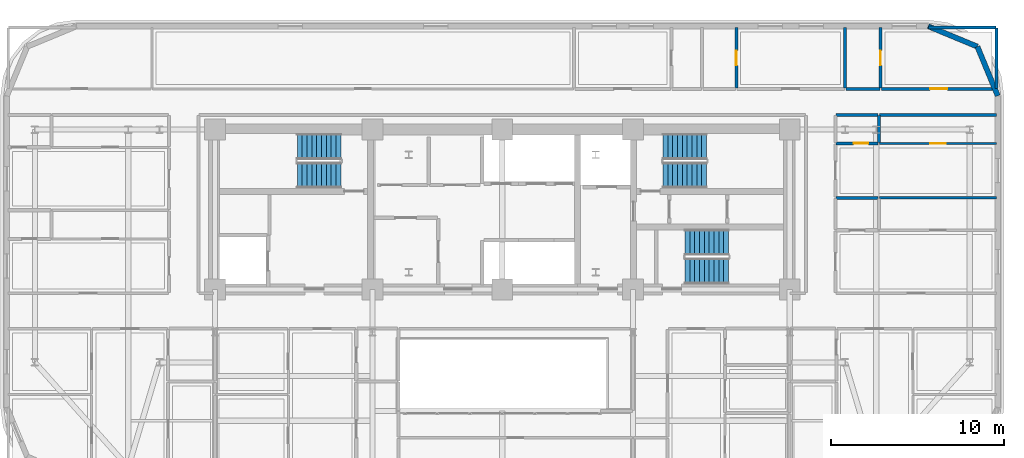
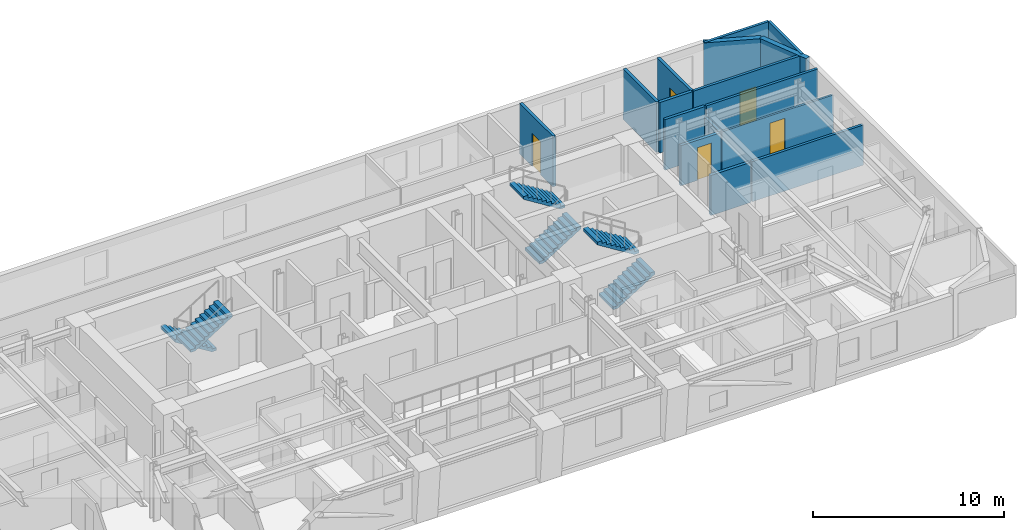
# One storey, part 13 of 16: 16 walls, 6 stair flights, 5 doors, 5 openings, 3 elements without a shape of their own.
"""IFC4 building model written with IfcOpenShell, lengths in metres."""

from ifc_helpers import new_model, si_unit, direction, frame, frame_2d, origin, place, context, subcontext, project, spatial, polyline, rectangle, outline, extrude, material, layer, layer_set, type_object, element, fill, aggregate, save


model = new_model("IFC4")

# Units and contexts
model_context = context("Model", 3, precision=1e-05, world=origin(), true_north=direction((0.0, 1.0)))
body_context = subcontext(model_context, "Body", "Model", "MODEL_VIEW")
ifc_project = project(units=[si_unit("LENGTHUNIT", "METRE"), si_unit("AREAUNIT", "SQUARE_METRE"), si_unit("VOLUMEUNIT", "CUBIC_METRE"), si_unit("PLANEANGLEUNIT", "RADIAN"), si_unit("MASSUNIT", "GRAM", prefix="KILO")], contexts=[model_context])

# Site, building, storey
site_placement = place(None, origin())
site = spatial("IfcSite", under=ifc_project, at=site_placement, CompositionType="ELEMENT")
building_placement = place(site_placement, origin())
building = spatial("IfcBuilding", under=site, at=building_placement, Name="Zarnavel Station Tower", CompositionType="ELEMENT")
storey_placement = place(building_placement, frame((0.0, 0.0, 101.300048828125)))
storey = spatial("IfcBuildingStorey", under=building, at=storey_placement, Name="L27", CompositionType="ELEMENT", Elevation=101.300048828125)

# Walls
ifc_material_1 = material(Name="Precast concrete C45/55 (Dark Basalt Finish)", Category="masonry")
ifc_layer_1 = layer(ifc_material_1, 0.300048828125)
ifc_layer_set_1 = layer_set([ifc_layer_1], Name="EW_BASALT_300")
wall_type_1 = type_object("IfcWallType", Name="EW_BASALT_300", PredefinedType="SOLIDWALL", material=ifc_layer_set_1)
wall_1_placement = place(storey_placement, frame((56.24267578125, 41.842529296875, 0.0), z_axis=(0.0, 0.0, 1.0), x_axis=(0.382636798336, -0.92389884758, 0.0)))
element("IfcWall", 1, at=wall_1_placement, inside=storey, type_object=wall_type_1, Name="L27 Exterior Basalt Masonry Frame Wall 04", PredefinedType="SOLIDWALL", context=body_context, shape_type="SweptSolid", body=[
    extrude(rectangle(XDim=3.07666015625, YDim=0.300048828125, at=frame_2d((1.538330078125, 0.0))), origin(), (0.0, 0.0, 1.0), 3.239990234375),
])
wall_2_placement = place(storey_placement, frame((53.39990234375, 43.02001953125, 0.0), z_axis=(0.0, 0.0, 1.0), x_axis=(0.923882414032, -0.382676475685, 0.0)))
element("IfcWall", 2, at=wall_2_placement, inside=storey, type_object=wall_type_1, Name="L27 Exterior Basalt Masonry Frame Wall 05", PredefinedType="SOLIDWALL", context=body_context, shape_type="SweptSolid", body=[
    extrude(rectangle(XDim=3.076904296875, YDim=0.300048828125, at=frame_2d((1.53857421875, 0.0))), origin(), (0.0, 0.0, 1.0), 3.239990234375),
])
ifc_material_2 = material(Name="Gypsum Twin-Stud Acoustic Fire Partition", Category="concrete")
ifc_layer_2 = layer(ifc_material_2, 0.159912109375)
ifc_layer_set_2 = layer_set([ifc_layer_2], Name="PT_DEMISE_160")
wall_type_2 = type_object("IfcWallType", Name="PT_DEMISE_160", PredefinedType="PARTITIONING", material=ifc_layer_set_2)
wall_3_placement = place(storey_placement, frame((50.590087890625, 37.89990234375, 0.0), z_axis=(0.0, 0.0, 1.0), x_axis=(1.0, 0.0, 0.0)))
element("IfcWall", 3, at=wall_3_placement, inside=storey, type_object=wall_type_2, Name="L27 Partition COR-N-FNE2S", PredefinedType="PARTITIONING", context=body_context, shape_type="SweptSolid", body=[
    extrude(rectangle(XDim=6.75, YDim=0.159912109375, at=frame_2d((3.375, 0.0))), origin(), (0.0, 0.0, 1.0), 3.239990234375),
])

# Wall, opening, door
wall_4_placement = place(storey_placement, frame((50.68994140625, 39.39990234375, 0.0), z_axis=(0.0, 0.0, 1.0), x_axis=(1.0, 0.0, 0.0)))
wall_4 = element("IfcWall", 4, at=wall_4_placement, inside=storey, type_object=wall_type_2, Name="L27 Partition COR-N-HN3R", PredefinedType="PARTITIONING", context=body_context, shape_type="SweptSolid", body=[
    extrude(rectangle(XDim=6.650146484375, YDim=0.159912109375, at=frame_2d((3.3251953125, 0.0))), origin(), (0.0, 0.0, 1.0), 3.239990234375),
])
opening_1_placement = place(wall_4_placement, frame((2.824951171875, 0.0, 0.0)))
opening_1 = element("IfcOpeningElement", 5, at=opening_1_placement, cuts=wall_4, Name="Opening FD02", PredefinedType="OPENING", context=body_context, shape_type="SweptSolid", body=[
    extrude(rectangle(XDim=1.0, YDim=2.14990234375, at=frame_2d((0.5, 1.074951171875))), frame((0.0, 0.08984375, 0.0), z_axis=(0.0, -1.0, 0.0), x_axis=(1.0, 0.0, 0.0)), (0.0, 0.0, 1.0), 0.179931640625),
])
ifc_material_3 = material(Name="Painted Galvanised Steel and Hardwood Leaf", Category="steel")
door_type_1 = type_object("IfcDoorType", Name="ID_ENTRY_1000", OperationType="NOTDEFINED", PredefinedType="DOOR", material=ifc_material_3)
door_1_placement = place(opening_1_placement, origin())
door_1 = element("IfcDoor", 6, at=door_1_placement, inside=storey, type_object=door_type_1, Name="L27 Door COR-N-HN3R", OperationType="SINGLE_SWING_LEFT", OverallHeight=2.14990234375, OverallWidth=1.0, PredefinedType="DOOR", context=body_context, shape_type="SweptSolid", body=[
    extrude(rectangle(XDim=1.0, YDim=2.14990234375, at=frame_2d((0.5, 1.074951171875))), frame((0.0, 0.02490234375, 0.0), z_axis=(0.0, -1.0, 0.0), x_axis=(1.0, 0.0, 0.0)), (0.0, 0.0, 1.0), 0.050048828125),
])
fill(opening_1, door_1)

# Walls
wall_5_placement = place(storey_placement, frame((50.590087890625, 33.10888671875, 0.0), z_axis=(0.0, 0.0, 1.0), x_axis=(1.0, 0.0, 0.0)))
element("IfcWall", 7, at=wall_5_placement, inside=storey, type_object=wall_type_2, Name="L27 Partition FNE1S-FNE2R", PredefinedType="PARTITIONING", context=body_context, shape_type="SweptSolid", body=[
    extrude(rectangle(XDim=6.75, YDim=0.159912109375, at=frame_2d((3.375, 0.0))), origin(), (0.0, 0.0, 1.0), 2.570068359375),
])
wall_6_placement = place(storey_placement, frame((53.429931640625, 42.93994140625, 0.0), z_axis=(0.0, 0.0, 1.0), x_axis=(1.0, 0.0, 0.0)))
element("IfcWall", 8, at=wall_6_placement, inside=storey, type_object=wall_type_2, Name="L27 Enclosure Wall HN3R", PredefinedType="PARTITIONING", context=body_context, shape_type="SweptSolid", body=[
    extrude(rectangle(XDim=3.880126953125, YDim=0.159912109375, at=frame_2d((1.93994140625, 0.0))), origin(), (0.0, 0.0, 1.0), 3.239990234375),
])
wall_7_placement = place(storey_placement, frame((57.340087890625, 39.429931640625, 0.0), z_axis=(0.0, 0.0, 1.0), x_axis=(0.0, 1.0, 0.0)))
element("IfcWall", 9, at=wall_7_placement, inside=storey, type_object=wall_type_2, Name="L27 Enclosure Wall HN3R", PredefinedType="PARTITIONING", context=body_context, shape_type="SweptSolid", body=[
    extrude(rectangle(XDim=3.47998046875, YDim=0.159912109375, at=frame_2d((1.739990234375, 0.0))), origin(), (0.0, 0.0, 1.0), 3.239990234375),
])

# Wall, opening, door
ifc_material_4 = material(Name="Gypsum Metal-Stud Interior Partition", Category="concrete")
ifc_layer_3 = layer(ifc_material_4, 0.1201171875)
ifc_layer_set_3 = layer_set([ifc_layer_3], Name="PT_ROOM_120")
wall_type_3 = type_object("IfcWallType", Name="PT_ROOM_120", PredefinedType="PARTITIONING", material=ifc_layer_set_3)
wall_8_placement = place(storey_placement, frame((50.590087890625, 36.25, 0.0), z_axis=(0.0, 0.0, 1.0), x_axis=(1.0, 0.0, 0.0)))
wall_8 = element("IfcWall", 10, at=wall_8_placement, inside=storey, type_object=wall_type_3, Name="L27 Partition FNE2R-FNE2S", PredefinedType="PARTITIONING", context=body_context, shape_type="SweptSolid", body=[
    extrude(rectangle(XDim=6.75, YDim=0.1201171875, at=frame_2d((3.375, 0.0))), origin(), (0.0, 0.0, 1.0), 2.570068359375),
])
opening_2_placement = place(wall_8_placement, frame((2.925048828125, 0.0, 0.0)))
opening_2 = element("IfcOpeningElement", 11, at=opening_2_placement, cuts=wall_8, Name="Opening ID01", PredefinedType="OPENING", context=body_context, shape_type="SweptSolid", body=[
    extrude(rectangle(XDim=0.89990234375, YDim=2.10009765625, at=frame_2d((0.449951171875, 1.050048828125))), frame((0.0, 0.070068359375, 0.0), z_axis=(0.0, -1.0, 0.0), x_axis=(1.0, 0.0, 0.0)), (0.0, 0.0, 1.0), 0.14013671875),
])
ifc_material_5 = material(Name="Painted Galvanised Steel and Hardwood Leaf", Category="steel")
door_type_2 = type_object("IfcDoorType", Name="ID_ROOM_900", OperationType="NOTDEFINED", PredefinedType="DOOR", material=ifc_material_5)
door_2_placement = place(opening_2_placement, origin())
door_2 = element("IfcDoor", 12, at=door_2_placement, inside=storey, type_object=door_type_2, Name="L27 Door FNE2R-FNE2S", OperationType="SINGLE_SWING_LEFT", OverallHeight=2.10009765625, OverallWidth=0.89990234375, PredefinedType="DOOR", context=body_context, shape_type="SweptSolid", body=[
    extrude(rectangle(XDim=0.89990234375, YDim=2.10009765625, at=frame_2d((0.449951171875, 1.050048828125))), frame((0.0, 0.02490234375, 0.0), z_axis=(0.0, -1.0, 0.0), x_axis=(1.0, 0.0, 0.0)), (0.0, 0.0, 1.0), 0.050048828125),
])
fill(opening_2, door_2)

# Walls
ifc_material_6 = material(Name="Moisture-Resistant Plumbing Chase Wall", Category="concrete")
ifc_layer_4 = layer(ifc_material_6, 0.179931640625)
ifc_layer_set_4 = layer_set([ifc_layer_4], Name="PW_PLUMB_180")
wall_type_4 = type_object("IfcWallType", Name="PW_PLUMB_180", PredefinedType="PLUMBINGWALL", material=ifc_layer_set_4)
wall_9_placement = place(storey_placement, frame((48.090087890625, 37.89990234375, 0.0), z_axis=(0.0, 0.0, 1.0), x_axis=(1.0, 0.0, 0.0)))
element("IfcWall", 13, at=wall_9_placement, inside=storey, type_object=wall_type_4, Name="L27 Partition COR-N-FNE2B", PredefinedType="PLUMBINGWALL", context=body_context, shape_type="SweptSolid", body=[
    extrude(rectangle(XDim=2.419921875, YDim=0.179931640625, at=frame_2d((1.2099609375, 0.0))), origin(), (0.0, 0.0, 1.0), 3.239990234375),
])
wall_10_placement = place(storey_placement, frame((48.639892578125, 39.39990234375, 0.0), z_axis=(0.0, 0.0, 1.0), x_axis=(1.0, 0.0, 0.0)))
element("IfcWall", 14, at=wall_10_placement, inside=storey, type_object=wall_type_4, Name="L27 Partition COR-N-HN3B", PredefinedType="PLUMBINGWALL", context=body_context, shape_type="SweptSolid", body=[
    extrude(rectangle(XDim=1.97021484375, YDim=0.179931640625, at=frame_2d((0.985107421875, 0.0))), origin(), (0.0, 0.0, 1.0), 3.239990234375),
])
wall_11_placement = place(storey_placement, frame((48.090087890625, 33.10888671875, 0.0), z_axis=(0.0, 0.0, 1.0), x_axis=(1.0, 0.0, 0.0)))
element("IfcWall", 15, at=wall_11_placement, inside=storey, type_object=wall_type_4, Name="L27 Partition FNE1B-FNE2R", PredefinedType="PLUMBINGWALL", context=body_context, shape_type="SweptSolid", body=[
    extrude(rectangle(XDim=2.419921875, YDim=0.179931640625, at=frame_2d((1.2099609375, 0.0))), origin(), (0.0, 0.0, 1.0), 2.570068359375),
])

# Wall, opening, door
wall_12_placement = place(storey_placement, frame((50.510009765625, 36.25, 0.0), z_axis=(0.0, 0.0, 1.0), x_axis=(-1.0, 0.0, 0.0)))
wall_12 = element("IfcWall", 16, at=wall_12_placement, inside=storey, type_object=wall_type_4, Name="L27 Partition FNE2R-FNE2B", PredefinedType="PLUMBINGWALL", context=body_context, shape_type="SweptSolid", body=[
    extrude(rectangle(XDim=2.419921875, YDim=0.179931640625, at=frame_2d((1.2099609375, 0.0))), origin(), (0.0, 0.0, 1.0), 2.570068359375),
])
opening_3_placement = place(wall_12_placement, frame((0.570068359375, 0.0, 0.0)))
opening_3 = element("IfcOpeningElement", 17, at=opening_3_placement, cuts=wall_12, Name="Opening ID02", PredefinedType="OPENING", context=body_context, shape_type="SweptSolid", body=[
    extrude(rectangle(XDim=0.85009765625, YDim=2.10009765625, at=frame_2d((0.425048828125, 1.050048828125))), frame((0.0, 0.099853515625, 0.0), z_axis=(0.0, -1.0, 0.0), x_axis=(1.0, 0.0, 0.0)), (0.0, 0.0, 1.0), 0.199951171875),
])
ifc_material_7 = material(Name="Painted Galvanised Steel and Hardwood Leaf", Category="steel")
door_type_3 = type_object("IfcDoorType", Name="ID_BATH_850", OperationType="NOTDEFINED", PredefinedType="DOOR", material=ifc_material_7)
door_3_placement = place(opening_3_placement, origin())
door_3 = element("IfcDoor", 18, at=door_3_placement, inside=storey, type_object=door_type_3, Name="L27 Door FNE2R-FNE2B", OperationType="SINGLE_SWING_RIGHT", OverallHeight=2.10009765625, OverallWidth=0.85009765625, PredefinedType="DOOR", context=body_context, shape_type="SweptSolid", body=[
    extrude(rectangle(XDim=0.85009765625, YDim=2.10009765625, at=frame_2d((0.425048828125, 1.050048828125))), frame((0.0, 0.02490234375, 0.0), z_axis=(0.0, -1.0, 0.0), x_axis=(1.0, 0.0, 0.0)), (0.0, 0.0, 1.0), 0.050048828125),
])
fill(opening_3, door_3)

# Wall
wall_13_placement = place(storey_placement, frame((50.550048828125, 36.2900390625, 0.0), z_axis=(0.0, 0.0, 1.0), x_axis=(0.0, 1.0, 0.0)))
element("IfcWall", 19, at=wall_13_placement, inside=storey, type_object=wall_type_4, Name="L27 Partition FNE2B-FNE2S", PredefinedType="PLUMBINGWALL", context=body_context, shape_type="SweptSolid", body=[
    extrude(rectangle(XDim=1.570068359375, YDim=0.179931640625, at=frame_2d((0.78515625, 0.0))), origin(), (0.0, 0.0, 1.0), 2.570068359375),
])

# Wall, opening, door
wall_14_placement = place(storey_placement, frame((42.322998046875, 39.43994140625, 0.0), z_axis=(0.0, 0.0, 1.0), x_axis=(0.0, 1.0, 0.0)))
wall_14 = element("IfcWall", 20, at=wall_14_placement, inside=storey, type_object=wall_type_4, Name="L27 Partition HN2R-HN2B", PredefinedType="PLUMBINGWALL", context=body_context, shape_type="SweptSolid", body=[
    extrude(rectangle(XDim=3.5, YDim=0.179931640625, at=frame_2d((1.75, 0.0))), origin(), (0.0, 0.0, 1.0), 3.239990234375),
])
opening_4_placement = place(wall_14_placement, frame((1.324951171875, 0.0, 0.0)))
opening_4 = element("IfcOpeningElement", 21, at=opening_4_placement, cuts=wall_14, Name="Opening ID02", PredefinedType="OPENING", context=body_context, shape_type="SweptSolid", body=[
    extrude(rectangle(XDim=0.85009765625, YDim=2.10009765625, at=frame_2d((0.425048828125, 1.050048828125))), frame((0.0, 0.099853515625, 0.0), z_axis=(0.0, -1.0, 0.0), x_axis=(1.0, 0.0, 0.0)), (0.0, 0.0, 1.0), 0.199951171875),
])
door_4_placement = place(opening_4_placement, origin())
door_4 = element("IfcDoor", 22, at=door_4_placement, inside=storey, type_object=door_type_3, Name="L27 Door HN2R-HN2B", OperationType="SINGLE_SWING_LEFT", OverallHeight=2.10009765625, OverallWidth=0.85009765625, PredefinedType="DOOR", context=body_context, shape_type="SweptSolid", body=[
    extrude(rectangle(XDim=0.85009765625, YDim=2.10009765625, at=frame_2d((0.425048828125, 1.050048828125))), frame((0.0, 0.02490234375, 0.0), z_axis=(0.0, -1.0, 0.0), x_axis=(1.0, 0.0, 0.0)), (0.0, 0.0, 1.0), 0.050048828125),
])
fill(opening_4, door_4)

# Wall
wall_15_placement = place(storey_placement, frame((48.60009765625, 39.43994140625, 0.0), z_axis=(0.0, 0.0, 1.0), x_axis=(0.0, 1.0, 0.0)))
element("IfcWall", 23, at=wall_15_placement, inside=storey, type_object=wall_type_4, Name="L27 Partition HN2R-HN3B", PredefinedType="PLUMBINGWALL", context=body_context, shape_type="SweptSolid", body=[
    extrude(rectangle(XDim=3.5, YDim=0.179931640625, at=frame_2d((1.75, 0.0))), origin(), (0.0, 0.0, 1.0), 3.239990234375),
])

# Wall, opening, door
wall_16_placement = place(storey_placement, frame((50.64990234375, 39.43994140625, 0.0), z_axis=(0.0, 0.0, 1.0), x_axis=(0.0, 1.0, 0.0)))
wall_16 = element("IfcWall", 24, at=wall_16_placement, inside=storey, type_object=wall_type_4, Name="L27 Partition HN3R-HN3B", PredefinedType="PLUMBINGWALL", context=body_context, shape_type="SweptSolid", body=[
    extrude(rectangle(XDim=3.5, YDim=0.179931640625, at=frame_2d((1.75, 0.0))), origin(), (0.0, 0.0, 1.0), 3.239990234375),
])
opening_5_placement = place(wall_16_placement, frame((1.324951171875, 0.0, 0.0)))
opening_5 = element("IfcOpeningElement", 25, at=opening_5_placement, cuts=wall_16, Name="Opening ID02", PredefinedType="OPENING", context=body_context, shape_type="SweptSolid", body=[
    extrude(rectangle(XDim=0.85009765625, YDim=2.10009765625, at=frame_2d((0.425048828125, 1.050048828125))), frame((0.0, 0.099853515625, 0.0), z_axis=(0.0, -1.0, 0.0), x_axis=(1.0, 0.0, 0.0)), (0.0, 0.0, 1.0), 0.199951171875),
])
door_5_placement = place(opening_5_placement, origin())
door_5 = element("IfcDoor", 26, at=door_5_placement, inside=storey, type_object=door_type_3, Name="L27 Door HN3R-HN3B", OperationType="SINGLE_SWING_RIGHT", OverallHeight=2.10009765625, OverallWidth=0.85009765625, PredefinedType="DOOR", context=body_context, shape_type="SweptSolid", body=[
    extrude(rectangle(XDim=0.85009765625, YDim=2.10009765625, at=frame_2d((0.425048828125, 1.050048828125))), frame((0.0, 0.02490234375, 0.0), z_axis=(0.0, -1.0, 0.0), x_axis=(1.0, 0.0, 0.0)), (0.0, 0.0, 1.0), 0.050048828125),
])
fill(opening_5, door_5)

# Stair, stair flights
ifc_material_8 = material(Name="Concrete C45/55", Category="concrete")
stair_type = type_object("IfcStairType", Name="ST_CORE_150", PredefinedType="HALF_TURN_STAIR", material=ifc_material_8)
stair_1_placement = place(storey_placement, origin())
stair_1 = element("IfcStair", 27, at=stair_1_placement, inside=storey, type_object=stair_type, Name="L27 Core Exit Stair ST1", PredefinedType="HALF_TURN_STAIR")
ifc_material_9 = material(Name="Concrete C45/55", Category="concrete")
ifc_layer_5 = layer(ifc_material_9, 0.179931640625)
ifc_layer_set_5 = layer_set([ifc_layer_5], Name="ST_CORE_150_FLT")
stair_flight_type = type_object("IfcStairFlightType", Name="ST_CORE_150_FLT", PredefinedType="STRAIGHT", material=ifc_layer_set_5)
stair_flight_1_placement = place(storey_placement, frame((19.47998046875, 36.070068359375, 0.0), z_axis=(0.0, 0.0, 1.0), x_axis=(-1.0, 0.0, 0.0)))
stair_flight_1 = element("IfcStairFlight", 28, at=stair_flight_1_placement, type_object=stair_flight_type, Name="ST1 flight 1", NumberOfRisers=10, NumberOfTreads=9, PredefinedType="STRAIGHT", RiserHeight=0.175, TreadLength=0.28, context=body_context, shape_type="SweptSolid", body=[
    extrude(outline(polyline([(0.0, 0.0), (0.0, 0.175048828125), (0.280029296875, 0.175048828125), (0.280029296875, 0.35009765625), (0.56005859375, 0.35009765625), (0.56005859375, 0.52490234375), (0.840087890625, 0.52490234375), (0.840087890625, 0.699951171875), (1.1201171875, 0.699951171875), (1.1201171875, 0.875), (1.39990234375, 0.875), (1.39990234375, 1.050048828125), (1.679931640625, 1.050048828125), (1.679931640625, 1.22509765625), (1.9599609375, 1.22509765625), (1.9599609375, 1.39990234375), (2.239990234375, 1.39990234375), (2.239990234375, 1.574951171875), (2.52001953125, 1.574951171875), (2.52001953125, 1.75), (2.52001953125, 1.398193359375), (0.28271484375, 0.0), (0.0, 0.0)])), frame((0.0, 0.75, 0.0), z_axis=(0.0, -1.0, 0.0), x_axis=(1.0, 0.0, 0.0)), (0.0, 0.0, 1.0), 1.5),
])
stair_flight_2_placement = place(storey_placement, frame((16.9599609375, 34.409912109375, 1.75), z_axis=(0.0, 0.0, 1.0), x_axis=(1.0, 0.0, 0.0)))
stair_flight_2 = element("IfcStairFlight", 29, at=stair_flight_2_placement, type_object=stair_flight_type, Name="ST1 flight 2", NumberOfRisers=10, NumberOfTreads=9, PredefinedType="STRAIGHT", RiserHeight=0.175, TreadLength=0.28, context=body_context, shape_type="SweptSolid", body=[
    extrude(outline(polyline([(0.0, 0.0), (0.0, 0.175048828125), (0.280029296875, 0.175048828125), (0.280029296875, 0.35009765625), (0.56005859375, 0.35009765625), (0.56005859375, 0.52490234375), (0.840087890625, 0.52490234375), (0.840087890625, 0.699951171875), (1.1201171875, 0.699951171875), (1.1201171875, 0.875), (1.39990234375, 0.875), (1.39990234375, 1.050048828125), (1.679931640625, 1.050048828125), (1.679931640625, 1.22509765625), (1.9599609375, 1.22509765625), (1.9599609375, 1.39990234375), (2.239990234375, 1.39990234375), (2.239990234375, 1.574951171875), (2.52001953125, 1.574951171875), (2.52001953125, 1.75), (2.52001953125, 1.398193359375), (0.28271484375, 0.0), (0.0, 0.0)])), frame((0.0, 0.75, 0.0), z_axis=(0.0, -1.0, 0.0), x_axis=(1.0, 0.0, 0.0)), (0.0, 0.0, 1.0), 1.5),
])
aggregate(stair_1, [stair_flight_1, stair_flight_2])

stair_2_placement = place(storey_placement, origin())
stair_2 = element("IfcStair", 30, at=stair_2_placement, inside=storey, type_object=stair_type, Name="L27 Core Exit Stair ST2", PredefinedType="HALF_TURN_STAIR")
stair_flight_3_placement = place(storey_placement, frame((38.080078125, 34.409912109375, 0.0), z_axis=(0.0, 0.0, 1.0), x_axis=(1.0, 0.0, 0.0)))
stair_flight_3 = element("IfcStairFlight", 31, at=stair_flight_3_placement, type_object=stair_flight_type, Name="ST2 flight 1", NumberOfRisers=10, NumberOfTreads=9, PredefinedType="STRAIGHT", RiserHeight=0.175, TreadLength=0.28, context=body_context, shape_type="SweptSolid", body=[
    extrude(outline(polyline([(0.0, 0.0), (0.0, 0.175048828125), (0.280029296875, 0.175048828125), (0.280029296875, 0.35009765625), (0.56005859375, 0.35009765625), (0.56005859375, 0.52490234375), (0.840087890625, 0.52490234375), (0.840087890625, 0.699951171875), (1.1201171875, 0.699951171875), (1.1201171875, 0.875), (1.39990234375, 0.875), (1.39990234375, 1.050048828125), (1.679931640625, 1.050048828125), (1.679931640625, 1.22509765625), (1.9599609375, 1.22509765625), (1.9599609375, 1.39990234375), (2.239990234375, 1.39990234375), (2.239990234375, 1.574951171875), (2.52001953125, 1.574951171875), (2.52001953125, 1.75), (2.52001953125, 1.398193359375), (0.28271484375, 0.0), (0.0, 0.0)])), frame((0.0, 0.75, 0.0), z_axis=(0.0, -1.0, 0.0), x_axis=(1.0, 0.0, 0.0)), (0.0, 0.0, 1.0), 1.5),
])
stair_flight_4_placement = place(storey_placement, frame((40.60009765625, 36.070068359375, 1.75), z_axis=(0.0, 0.0, 1.0), x_axis=(-1.0, 0.0, 0.0)))
stair_flight_4 = element("IfcStairFlight", 32, at=stair_flight_4_placement, type_object=stair_flight_type, Name="ST2 flight 2", NumberOfRisers=10, NumberOfTreads=9, PredefinedType="STRAIGHT", RiserHeight=0.175, TreadLength=0.28, context=body_context, shape_type="SweptSolid", body=[
    extrude(outline(polyline([(0.0, 0.0), (0.0, 0.175048828125), (0.280029296875, 0.175048828125), (0.280029296875, 0.35009765625), (0.56005859375, 0.35009765625), (0.56005859375, 0.52490234375), (0.840087890625, 0.52490234375), (0.840087890625, 0.699951171875), (1.1201171875, 0.699951171875), (1.1201171875, 0.875), (1.39990234375, 0.875), (1.39990234375, 1.050048828125), (1.679931640625, 1.050048828125), (1.679931640625, 1.22509765625), (1.9599609375, 1.22509765625), (1.9599609375, 1.39990234375), (2.239990234375, 1.39990234375), (2.239990234375, 1.574951171875), (2.52001953125, 1.574951171875), (2.52001953125, 1.75), (2.52001953125, 1.398193359375), (0.28271484375, 0.0), (0.0, 0.0)])), frame((0.0, 0.75, 0.0), z_axis=(0.0, -1.0, 0.0), x_axis=(1.0, 0.0, 0.0)), (0.0, 0.0, 1.0), 1.5),
])
aggregate(stair_2, [stair_flight_3, stair_flight_4])

stair_3_placement = place(storey_placement, origin())
stair_3 = element("IfcStair", 33, at=stair_3_placement, inside=storey, type_object=stair_type, Name="L27 Core Exit Stair ST3", PredefinedType="HALF_TURN_STAIR")
stair_flight_5_placement = place(storey_placement, frame((39.35009765625, 28.8701171875, 0.0), z_axis=(0.0, 0.0, 1.0), x_axis=(1.0, 0.0, 0.0)))
stair_flight_5 = element("IfcStairFlight", 34, at=stair_flight_5_placement, type_object=stair_flight_type, Name="ST3 flight 1", NumberOfRisers=10, NumberOfTreads=9, PredefinedType="STRAIGHT", RiserHeight=0.175, TreadLength=0.28, context=body_context, shape_type="SweptSolid", body=[
    extrude(outline(polyline([(0.0, 0.0), (0.0, 0.175048828125), (0.280029296875, 0.175048828125), (0.280029296875, 0.35009765625), (0.56005859375, 0.35009765625), (0.56005859375, 0.52490234375), (0.840087890625, 0.52490234375), (0.840087890625, 0.699951171875), (1.1201171875, 0.699951171875), (1.1201171875, 0.875), (1.39990234375, 0.875), (1.39990234375, 1.050048828125), (1.679931640625, 1.050048828125), (1.679931640625, 1.22509765625), (1.9599609375, 1.22509765625), (1.9599609375, 1.39990234375), (2.239990234375, 1.39990234375), (2.239990234375, 1.574951171875), (2.52001953125, 1.574951171875), (2.52001953125, 1.75), (2.52001953125, 1.398193359375), (0.28271484375, 0.0), (0.0, 0.0)])), frame((0.0, 0.75, 0.0), z_axis=(0.0, -1.0, 0.0), x_axis=(1.0, 0.0, 0.0)), (0.0, 0.0, 1.0), 1.5),
])
stair_flight_6_placement = place(storey_placement, frame((41.8701171875, 30.530029296875, 1.75), z_axis=(0.0, 0.0, 1.0), x_axis=(-1.0, 0.0, 0.0)))
stair_flight_6 = element("IfcStairFlight", 35, at=stair_flight_6_placement, type_object=stair_flight_type, Name="ST3 flight 2", NumberOfRisers=10, NumberOfTreads=9, PredefinedType="STRAIGHT", RiserHeight=0.175, TreadLength=0.28, context=body_context, shape_type="SweptSolid", body=[
    extrude(outline(polyline([(0.0, 0.0), (0.0, 0.175048828125), (0.280029296875, 0.175048828125), (0.280029296875, 0.35009765625), (0.56005859375, 0.35009765625), (0.56005859375, 0.52490234375), (0.840087890625, 0.52490234375), (0.840087890625, 0.699951171875), (1.1201171875, 0.699951171875), (1.1201171875, 0.875), (1.39990234375, 0.875), (1.39990234375, 1.050048828125), (1.679931640625, 1.050048828125), (1.679931640625, 1.22509765625), (1.9599609375, 1.22509765625), (1.9599609375, 1.39990234375), (2.239990234375, 1.39990234375), (2.239990234375, 1.574951171875), (2.52001953125, 1.574951171875), (2.52001953125, 1.75), (2.52001953125, 1.398193359375), (0.28271484375, 0.0), (0.0, 0.0)])), frame((0.0, 0.75, 0.0), z_axis=(0.0, -1.0, 0.0), x_axis=(1.0, 0.0, 0.0)), (0.0, 0.0, 1.0), 1.5),
])
aggregate(stair_3, [stair_flight_5, stair_flight_6])

save(model, "model.ifc")
